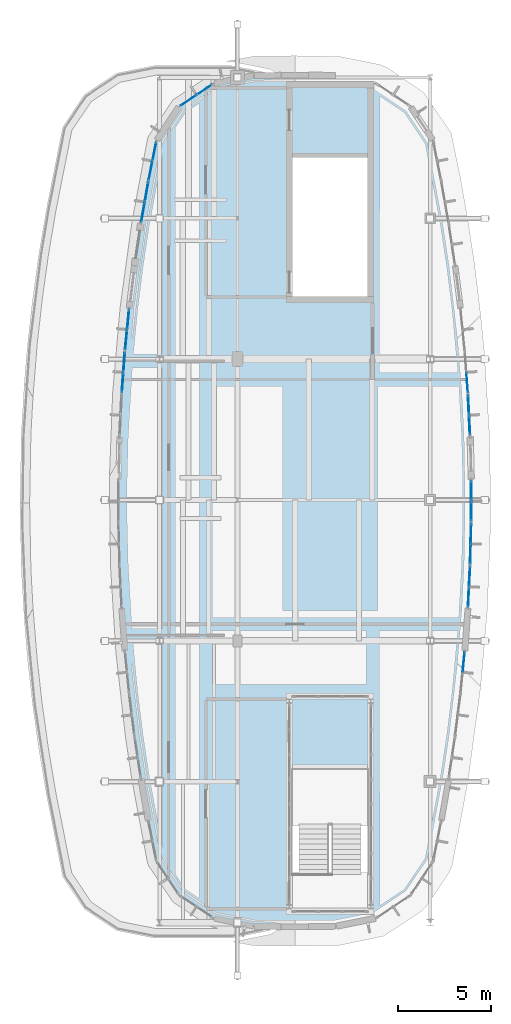
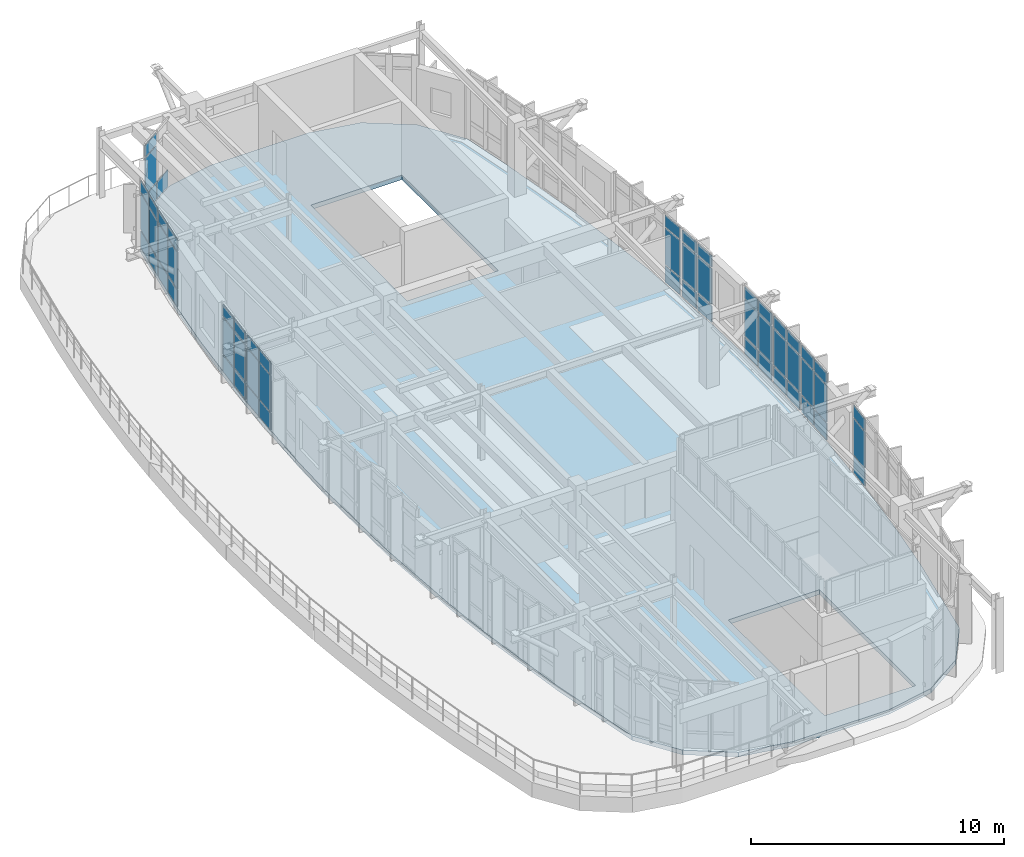
# One storey, part 14 of 20: 58 plates, 1 slab, 11 elements without a shape of their own.
"""IFC4 building model written with IfcOpenShell, lengths in metres."""

from ifc_helpers import new_model, si_unit, direction, frame, origin, origin_2d, place, context, subcontext, project, spatial, polyline, rectangle, outline, extrude, material, layer, layer_set, type_object, element, aggregate, save


model = new_model("IFC4")

# Units and contexts
model_context = context("Model", 3, precision=1e-05, world=origin(), true_north=direction((0.0, 1.0)))
body_context = subcontext(model_context, "Body", "Model", "MODEL_VIEW")
ifc_project = project(units=[si_unit("LENGTHUNIT", "METRE"), si_unit("AREAUNIT", "SQUARE_METRE"), si_unit("VOLUMEUNIT", "CUBIC_METRE"), si_unit("PLANEANGLEUNIT", "RADIAN"), si_unit("MASSUNIT", "GRAM", prefix="KILO")], contexts=[model_context])

# Site, building, storey
site_placement = place(None, origin())
site = spatial("IfcSite", under=ifc_project, at=site_placement, CompositionType="ELEMENT")
building_placement = place(site_placement, origin())
building = spatial("IfcBuilding", under=site, at=building_placement, Name="Corveleigh Park Community Centre", CompositionType="ELEMENT")
storey_placement = place(building_placement, frame((0.0, 0.0, 19.800048828125)))
storey = spatial("IfcBuildingStorey", under=building, at=storey_placement, Name="L05", CompositionType="ELEMENT", Elevation=19.800048828125)

# Curtain wall, plates
ifc_material_1 = material(Name="Anodised aluminium 6063-T6", Category="aluminium")
curtain_wall_type = type_object("IfcCurtainWallType", Name="CW-SYS-V4-L03", PredefinedType="NOTDEFINED", material=ifc_material_1)
curtain_wall_1_placement = place(storey_placement, origin())
curtain_wall_1 = element("IfcCurtainWall", 1, at=curtain_wall_1_placement, inside=storey, type_object=curtain_wall_type, Name="V4 L05 Curtain Wall 481", PredefinedType="NOTDEFINED")
ifc_material_2 = material(Name="Low-E double glazing", Category="glass")
ifc_layer_1 = layer(ifc_material_2, 0.02392578125, Name="Low-E double glazing", Category="glass")
ifc_layer_set_1 = layer_set([ifc_layer_1], Name="Low-E double glazing")
plate_type_1 = type_object("IfcPlateType", Name="CWP-GLZ-24", PredefinedType="CURTAIN_PANEL", material=ifc_layer_set_1)
plate_1_placement = place(storey_placement, frame((170.396240234375, 87.72998046875, 0.059814453125), z_axis=(0.0, 0.0, 1.0), x_axis=(0.074400551014, -0.997228438227, 0.0)))
plate_1 = element("IfcPlate", 2, at=plate_1_placement, type_object=plate_type_1, Name="CW09 panel 2.1", PredefinedType="CURTAIN_PANEL", context=body_context, shape_type="SweptSolid", body=[
    extrude(rectangle(XDim=1.05908203125, YDim=0.02392578125, at=origin_2d()), origin(), (0.0, 0.0, 1.0), 0.81005859375),
])
plate_2_placement = place(storey_placement, frame((170.396240234375, 87.72998046875, 0.929931640625), z_axis=(0.0, 0.0, 1.0), x_axis=(0.074400551014, -0.997228438227, 0.0)))
plate_2 = element("IfcPlate", 3, at=plate_2_placement, type_object=plate_type_1, Name="CW09 panel 2.2", PredefinedType="CURTAIN_PANEL", context=body_context, shape_type="SweptSolid", body=[
    extrude(rectangle(XDim=1.05908203125, YDim=0.02392578125, at=origin_2d()), origin(), (0.0, 0.0, 1.0), 1.75390625),
])
plate_3_placement = place(storey_placement, frame((170.396240234375, 87.72998046875, 2.743896484375), z_axis=(0.0, 0.0, 1.0), x_axis=(0.074400551014, -0.997228438227, 0.0)))
plate_3 = element("IfcPlate", 4, at=plate_3_placement, type_object=plate_type_1, Name="CW09 panel 2.3", PredefinedType="CURTAIN_PANEL", context=body_context, shape_type="SweptSolid", body=[
    extrude(rectangle(XDim=1.05908203125, YDim=0.02392578125, at=origin_2d()), origin(), (0.0, 0.0, 1.0), 0.56005859375),
])
aggregate(curtain_wall_1, [plate_1, plate_2, plate_3])

curtain_wall_2_placement = place(storey_placement, origin())
curtain_wall_2 = element("IfcCurtainWall", 5, at=curtain_wall_2_placement, inside=storey, type_object=curtain_wall_type, Name="V4 L05 Curtain Wall 476", PredefinedType="NOTDEFINED")
ifc_layer_2 = layer(ifc_material_2, 0.035888671875, Name="Low-E double glazing", Category="glass")
ifc_layer_set_2 = layer_set([ifc_layer_2], Name="Low-E double glazing")
plate_type_2 = type_object("IfcPlateType", Name="CWP-GLZ-36", PredefinedType="CURTAIN_PANEL", material=ifc_layer_set_2)
plate_4_placement = place(storey_placement, frame((170.2080078125, 72.66064453125, 0.059814453125), z_axis=(0.0, 0.0, 1.0), x_axis=(-0.099719288676, -0.995015609659, 0.0)))
plate_4 = element("IfcPlate", 6, at=plate_4_placement, type_object=plate_type_2, Name="CW09 panel 1.1", PredefinedType="CURTAIN_PANEL", context=body_context, shape_type="SweptSolid", body=[
    extrude(rectangle(XDim=1.05078125, YDim=0.035888671875, at=origin_2d()), origin(), (0.0, 0.0, 1.0), 0.81005859375),
])
plate_5_placement = place(storey_placement, frame((170.2080078125, 72.66064453125, 0.929931640625), z_axis=(0.0, 0.0, 1.0), x_axis=(-0.099719288676, -0.995015609659, 0.0)))
plate_5 = element("IfcPlate", 7, at=plate_5_placement, type_object=plate_type_2, Name="CW09 panel 1.2", PredefinedType="CURTAIN_PANEL", context=body_context, shape_type="SweptSolid", body=[
    extrude(rectangle(XDim=1.05078125, YDim=0.035888671875, at=origin_2d()), origin(), (0.0, 0.0, 1.0), 1.75390625),
])
plate_6_placement = place(storey_placement, frame((170.2080078125, 72.66064453125, 2.743896484375), z_axis=(0.0, 0.0, 1.0), x_axis=(-0.099719288676, -0.995015609659, 0.0)))
plate_6 = element("IfcPlate", 8, at=plate_6_placement, type_object=plate_type_2, Name="CW09 panel 1.3", PredefinedType="CURTAIN_PANEL", context=body_context, shape_type="SweptSolid", body=[
    extrude(rectangle(XDim=1.05078125, YDim=0.035888671875, at=origin_2d()), origin(), (0.0, 0.0, 1.0), 0.56005859375),
])
aggregate(curtain_wall_2, [plate_4, plate_5, plate_6])

curtain_wall_3_placement = place(storey_placement, origin())
curtain_wall_3 = element("IfcCurtainWall", 9, at=curtain_wall_3_placement, inside=storey, type_object=curtain_wall_type, Name="V4 L05 Curtain Wall 487", PredefinedType="NOTDEFINED")
plate_7_placement = place(storey_placement, frame((155.358154296875, 102.963134765625, 0.06494140625), z_axis=(0.0, 0.0, 1.0), x_axis=(0.831544296886, 0.555458443376, 0.0)))
plate_7 = element("IfcPlate", 10, at=plate_7_placement, type_object=plate_type_2, Name="CW09 panel 1.1", PredefinedType="CURTAIN_PANEL", context=body_context, shape_type="SweptSolid", body=[
    extrude(rectangle(XDim=0.974853515625, YDim=0.035888671875, at=origin_2d()), origin(), (0.0, 0.0, 1.0), 0.802490234375),
])
plate_8_placement = place(storey_placement, frame((155.358154296875, 102.963134765625, 0.932373046875), z_axis=(0.0, 0.0, 1.0), x_axis=(0.831544296886, 0.555458443376, 0.0)))
plate_8 = element("IfcPlate", 11, at=plate_8_placement, type_object=plate_type_2, Name="CW09 panel 1.2", PredefinedType="CURTAIN_PANEL", context=body_context, shape_type="SweptSolid", body=[
    extrude(rectangle(XDim=0.974853515625, YDim=0.035888671875, at=origin_2d()), origin(), (0.0, 0.0, 1.0), 1.7490234375),
])
plate_9_placement = place(storey_placement, frame((155.358154296875, 102.963134765625, 2.74658203125), z_axis=(0.0, 0.0, 1.0), x_axis=(0.831544296886, 0.555458443376, 0.0)))
plate_9 = element("IfcPlate", 12, at=plate_9_placement, type_object=plate_type_2, Name="CW09 panel 1.3", PredefinedType="CURTAIN_PANEL", context=body_context, shape_type="SweptSolid", body=[
    extrude(rectangle(XDim=0.974853515625, YDim=0.035888671875, at=origin_2d()), origin(), (0.0, 0.0, 1.0), 0.552490234375),
])
plate_10_placement = place(storey_placement, frame((156.21875, 103.537841796875, 0.06494140625), z_axis=(0.0, 0.0, 1.0), x_axis=(0.831544296886, 0.555458443376, 0.0)))
plate_10 = element("IfcPlate", 13, at=plate_10_placement, type_object=plate_type_2, Name="CW09 panel 2.1", PredefinedType="CURTAIN_PANEL", context=body_context, shape_type="SweptSolid", body=[
    extrude(rectangle(XDim=0.974853515625, YDim=0.035888671875, at=origin_2d()), origin(), (0.0, 0.0, 1.0), 0.802490234375),
])
aggregate(curtain_wall_3, [plate_7, plate_8, plate_9, plate_10])

curtain_wall_4_placement = place(storey_placement, origin())
curtain_wall_4 = element("IfcCurtainWall", 14, at=curtain_wall_4_placement, inside=storey, type_object=curtain_wall_type, Name="V4 L05 Curtain Wall 488", PredefinedType="NOTDEFINED")
plate_11_placement = place(storey_placement, frame((153.310546875, 99.167236328125, 0.070068359375), z_axis=(0.0, 0.0, 1.0), x_axis=(0.194784489103, 0.980846064785, 0.0)))
plate_11 = element("IfcPlate", 15, at=plate_11_placement, type_object=plate_type_2, Name="CW09 panel 1.1", PredefinedType="CURTAIN_PANEL", context=body_context, shape_type="SweptSolid", body=[
    extrude(rectangle(XDim=0.98583984375, YDim=0.035888671875, at=origin_2d()), origin(), (0.0, 0.0, 1.0), 0.794921875),
])
plate_12_placement = place(storey_placement, frame((153.310546875, 99.167236328125, 0.93505859375), z_axis=(0.0, 0.0, 1.0), x_axis=(0.194784489103, 0.980846064785, 0.0)))
plate_12 = element("IfcPlate", 16, at=plate_12_placement, type_object=plate_type_2, Name="CW09 panel 1.2", PredefinedType="CURTAIN_PANEL", context=body_context, shape_type="SweptSolid", body=[
    extrude(rectangle(XDim=0.98583984375, YDim=0.035888671875, at=origin_2d()), origin(), (0.0, 0.0, 1.0), 1.743896484375),
])
plate_13_placement = place(storey_placement, frame((153.310546875, 99.167236328125, 2.7490234375), z_axis=(0.0, 0.0, 1.0), x_axis=(0.194784489103, 0.980846064785, 0.0)))
plate_13 = element("IfcPlate", 17, at=plate_13_placement, type_object=plate_type_2, Name="CW09 panel 1.3", PredefinedType="CURTAIN_PANEL", context=body_context, shape_type="SweptSolid", body=[
    extrude(rectangle(XDim=0.98583984375, YDim=0.035888671875, at=origin_2d()), origin(), (0.0, 0.0, 1.0), 0.544921875),
])
plate_14_placement = place(storey_placement, frame((153.515380859375, 100.19775390625, 0.070068359375), z_axis=(0.0, 0.0, 1.0), x_axis=(0.194784489103, 0.980846064785, 0.0)))
plate_14 = element("IfcPlate", 18, at=plate_14_placement, type_object=plate_type_2, Name="CW09 panel 2.1", PredefinedType="CURTAIN_PANEL", context=body_context, shape_type="SweptSolid", body=[
    extrude(rectangle(XDim=0.98583984375, YDim=0.035888671875, at=origin_2d()), origin(), (0.0, 0.0, 1.0), 0.794921875),
])
plate_15_placement = place(storey_placement, frame((153.515380859375, 100.19775390625, 0.93505859375), z_axis=(0.0, 0.0, 1.0), x_axis=(0.194784489103, 0.980846064785, 0.0)))
plate_15 = element("IfcPlate", 19, at=plate_15_placement, type_object=plate_type_2, Name="CW09 panel 2.2", PredefinedType="CURTAIN_PANEL", context=body_context, shape_type="SweptSolid", body=[
    extrude(rectangle(XDim=0.98583984375, YDim=0.035888671875, at=origin_2d()), origin(), (0.0, 0.0, 1.0), 1.743896484375),
])
plate_16_placement = place(storey_placement, frame((153.515380859375, 100.19775390625, 2.7490234375), z_axis=(0.0, 0.0, 1.0), x_axis=(0.194784489103, 0.980846064785, 0.0)))
plate_16 = element("IfcPlate", 20, at=plate_16_placement, type_object=plate_type_2, Name="CW09 panel 2.3", PredefinedType="CURTAIN_PANEL", context=body_context, shape_type="SweptSolid", body=[
    extrude(rectangle(XDim=0.98583984375, YDim=0.035888671875, at=origin_2d()), origin(), (0.0, 0.0, 1.0), 0.544921875),
])
aggregate(curtain_wall_4, [plate_11, plate_12, plate_13, plate_14, plate_15, plate_16])

curtain_wall_5_placement = place(storey_placement, origin())
curtain_wall_5 = element("IfcCurtainWall", 21, at=curtain_wall_5_placement, inside=storey, type_object=curtain_wall_type, Name="V4 L05 Curtain Wall 477", PredefinedType="NOTDEFINED")
ifc_layer_3 = layer(ifc_material_2, 0.0400390625, Name="Low-E double glazing", Category="glass")
ifc_layer_set_3 = layer_set([ifc_layer_3], Name="Low-E double glazing")
plate_type_3 = type_object("IfcPlateType", Name="CWP-GLZ-40", PredefinedType="CURTAIN_PANEL", material=ifc_layer_set_3)
plate_17_placement = place(storey_placement, frame((170.527099609375, 77.27783203125, 0.06494140625), z_axis=(0.0, 0.0, 1.0), x_axis=(-0.050480220936, -0.998725060912, 0.0)))
plate_17 = element("IfcPlate", 22, at=plate_17_placement, type_object=plate_type_3, Name="CW09 panel 1.1", PredefinedType="CURTAIN_PANEL", context=body_context, shape_type="SweptSolid", body=[
    extrude(rectangle(XDim=1.0439453125, YDim=0.0400390625, at=origin_2d()), origin(), (0.0, 0.0, 1.0), 0.802490234375),
])
plate_18_placement = place(storey_placement, frame((170.527099609375, 77.27783203125, 0.932373046875), z_axis=(0.0, 0.0, 1.0), x_axis=(-0.050480220936, -0.998725060912, 0.0)))
plate_18 = element("IfcPlate", 23, at=plate_18_placement, type_object=plate_type_3, Name="CW09 panel 1.2", PredefinedType="CURTAIN_PANEL", context=body_context, shape_type="SweptSolid", body=[
    extrude(rectangle(XDim=1.0439453125, YDim=0.0400390625, at=origin_2d()), origin(), (0.0, 0.0, 1.0), 1.7490234375),
])
plate_19_placement = place(storey_placement, frame((170.527099609375, 77.27783203125, 2.74658203125), z_axis=(0.0, 0.0, 1.0), x_axis=(-0.050480220936, -0.998725060912, 0.0)))
plate_19 = element("IfcPlate", 24, at=plate_19_placement, type_object=plate_type_3, Name="CW09 panel 1.3", PredefinedType="CURTAIN_PANEL", context=body_context, shape_type="SweptSolid", body=[
    extrude(rectangle(XDim=1.0439453125, YDim=0.0400390625, at=origin_2d()), origin(), (0.0, 0.0, 1.0), 0.552490234375),
])
plate_20_placement = place(storey_placement, frame((170.470947265625, 76.165283203125, 0.06494140625), z_axis=(0.0, 0.0, 1.0), x_axis=(-0.050480220936, -0.998725060912, 0.0)))
plate_20 = element("IfcPlate", 25, at=plate_20_placement, type_object=plate_type_3, Name="CW09 panel 2.1", PredefinedType="CURTAIN_PANEL", context=body_context, shape_type="SweptSolid", body=[
    extrude(rectangle(XDim=1.0439453125, YDim=0.0400390625, at=origin_2d()), origin(), (0.0, 0.0, 1.0), 0.802490234375),
])
plate_21_placement = place(storey_placement, frame((170.470947265625, 76.165283203125, 0.932373046875), z_axis=(0.0, 0.0, 1.0), x_axis=(-0.050480220936, -0.998725060912, 0.0)))
plate_21 = element("IfcPlate", 26, at=plate_21_placement, type_object=plate_type_3, Name="CW09 panel 2.2", PredefinedType="CURTAIN_PANEL", context=body_context, shape_type="SweptSolid", body=[
    extrude(rectangle(XDim=1.0439453125, YDim=0.0400390625, at=origin_2d()), origin(), (0.0, 0.0, 1.0), 1.7490234375),
])
plate_22_placement = place(storey_placement, frame((170.470947265625, 76.165283203125, 2.74658203125), z_axis=(0.0, 0.0, 1.0), x_axis=(-0.050480220936, -0.998725060912, 0.0)))
plate_22 = element("IfcPlate", 27, at=plate_22_placement, type_object=plate_type_3, Name="CW09 panel 2.3", PredefinedType="CURTAIN_PANEL", context=body_context, shape_type="SweptSolid", body=[
    extrude(rectangle(XDim=1.0439453125, YDim=0.0400390625, at=origin_2d()), origin(), (0.0, 0.0, 1.0), 0.552490234375),
])
aggregate(curtain_wall_5, [plate_17, plate_18, plate_19, plate_20, plate_21, plate_22])

curtain_wall_6_placement = place(storey_placement, origin())
curtain_wall_6 = element("IfcCurtainWall", 28, at=curtain_wall_6_placement, inside=storey, type_object=curtain_wall_type, Name="V4 L05 Curtain Wall 478", PredefinedType="NOTDEFINED")
plate_23_placement = place(storey_placement, frame((170.60009765625, 79.59033203125, 0.070068359375), z_axis=(0.0, 0.0, 1.0), x_axis=(-0.025253267842, -0.999681085378, 0.0)))
plate_23 = element("IfcPlate", 29, at=plate_23_placement, type_object=plate_type_3, Name="CW09 panel 1.1", PredefinedType="CURTAIN_PANEL", context=body_context, shape_type="SweptSolid", body=[
    extrude(rectangle(XDim=1.035888671875, YDim=0.0400390625, at=origin_2d()), origin(), (0.0, 0.0, 1.0), 0.794921875),
])
plate_24_placement = place(storey_placement, frame((170.60009765625, 79.59033203125, 0.93505859375), z_axis=(0.0, 0.0, 1.0), x_axis=(-0.025253267842, -0.999681085378, 0.0)))
plate_24 = element("IfcPlate", 30, at=plate_24_placement, type_object=plate_type_3, Name="CW09 panel 1.2", PredefinedType="CURTAIN_PANEL", context=body_context, shape_type="SweptSolid", body=[
    extrude(rectangle(XDim=1.035888671875, YDim=0.0400390625, at=origin_2d()), origin(), (0.0, 0.0, 1.0), 1.743896484375),
])
plate_25_placement = place(storey_placement, frame((170.60009765625, 79.59033203125, 2.7490234375), z_axis=(0.0, 0.0, 1.0), x_axis=(-0.025253267842, -0.999681085378, 0.0)))
plate_25 = element("IfcPlate", 31, at=plate_25_placement, type_object=plate_type_3, Name="CW09 panel 1.3", PredefinedType="CURTAIN_PANEL", context=body_context, shape_type="SweptSolid", body=[
    extrude(rectangle(XDim=1.035888671875, YDim=0.0400390625, at=origin_2d()), origin(), (0.0, 0.0, 1.0), 0.544921875),
])
plate_26_placement = place(storey_placement, frame((170.572021484375, 78.479736328125, 0.070068359375), z_axis=(0.0, 0.0, 1.0), x_axis=(-0.025253267842, -0.999681085378, 0.0)))
plate_26 = element("IfcPlate", 32, at=plate_26_placement, type_object=plate_type_3, Name="CW09 panel 2.1", PredefinedType="CURTAIN_PANEL", context=body_context, shape_type="SweptSolid", body=[
    extrude(rectangle(XDim=1.035888671875, YDim=0.0400390625, at=origin_2d()), origin(), (0.0, 0.0, 1.0), 0.794921875),
])
plate_27_placement = place(storey_placement, frame((170.572021484375, 78.479736328125, 0.93505859375), z_axis=(0.0, 0.0, 1.0), x_axis=(-0.025253267842, -0.999681085378, 0.0)))
plate_27 = element("IfcPlate", 33, at=plate_27_placement, type_object=plate_type_3, Name="CW09 panel 2.2", PredefinedType="CURTAIN_PANEL", context=body_context, shape_type="SweptSolid", body=[
    extrude(rectangle(XDim=1.035888671875, YDim=0.0400390625, at=origin_2d()), origin(), (0.0, 0.0, 1.0), 1.743896484375),
])
plate_28_placement = place(storey_placement, frame((170.572021484375, 78.479736328125, 2.7490234375), z_axis=(0.0, 0.0, 1.0), x_axis=(-0.025253267842, -0.999681085378, 0.0)))
plate_28 = element("IfcPlate", 34, at=plate_28_placement, type_object=plate_type_3, Name="CW09 panel 2.3", PredefinedType="CURTAIN_PANEL", context=body_context, shape_type="SweptSolid", body=[
    extrude(rectangle(XDim=1.035888671875, YDim=0.0400390625, at=origin_2d()), origin(), (0.0, 0.0, 1.0), 0.544921875),
])
aggregate(curtain_wall_6, [plate_23, plate_24, plate_25, plate_26, plate_27, plate_28])

curtain_wall_7_placement = place(storey_placement, origin())
curtain_wall_7 = element("IfcCurtainWall", 35, at=curtain_wall_7_placement, inside=storey, type_object=curtain_wall_type, Name="V4 L05 Curtain Wall 489", PredefinedType="NOTDEFINED")
plate_29_placement = place(storey_placement, frame((152.902099609375, 96.924072265625, 0.074951171875), z_axis=(0.0, 0.0, 1.0), x_axis=(0.174058388626, 0.984735333655, 0.0)))
plate_29 = element("IfcPlate", 36, at=plate_29_placement, type_object=plate_type_3, Name="CW09 panel 1.1", PredefinedType="CURTAIN_PANEL", context=body_context, shape_type="SweptSolid", body=[
    extrude(rectangle(XDim=1.0439453125, YDim=0.0400390625, at=origin_2d()), origin(), (0.0, 0.0, 1.0), 0.78759765625),
])
plate_30_placement = place(storey_placement, frame((152.902099609375, 96.924072265625, 0.9375), z_axis=(0.0, 0.0, 1.0), x_axis=(0.174058388626, 0.984735333655, 0.0)))
plate_30 = element("IfcPlate", 37, at=plate_30_placement, type_object=plate_type_3, Name="CW09 panel 1.2", PredefinedType="CURTAIN_PANEL", context=body_context, shape_type="SweptSolid", body=[
    extrude(rectangle(XDim=1.0439453125, YDim=0.0400390625, at=origin_2d()), origin(), (0.0, 0.0, 1.0), 1.739013671875),
])
plate_31_placement = place(storey_placement, frame((152.902099609375, 96.924072265625, 2.75146484375), z_axis=(0.0, 0.0, 1.0), x_axis=(0.174058388626, 0.984735333655, 0.0)))
plate_31 = element("IfcPlate", 38, at=plate_31_placement, type_object=plate_type_3, Name="CW09 panel 1.3", PredefinedType="CURTAIN_PANEL", context=body_context, shape_type="SweptSolid", body=[
    extrude(rectangle(XDim=1.0439453125, YDim=0.0400390625, at=origin_2d()), origin(), (0.0, 0.0, 1.0), 0.53759765625),
])
plate_32_placement = place(storey_placement, frame((153.095947265625, 98.02099609375, 0.074951171875), z_axis=(0.0, 0.0, 1.0), x_axis=(0.174058388626, 0.984735333655, 0.0)))
plate_32 = element("IfcPlate", 39, at=plate_32_placement, type_object=plate_type_3, Name="CW09 panel 2.1", PredefinedType="CURTAIN_PANEL", context=body_context, shape_type="SweptSolid", body=[
    extrude(rectangle(XDim=1.0439453125, YDim=0.0400390625, at=origin_2d()), origin(), (0.0, 0.0, 1.0), 0.78759765625),
])
plate_33_placement = place(storey_placement, frame((153.095947265625, 98.02099609375, 0.9375), z_axis=(0.0, 0.0, 1.0), x_axis=(0.174058388626, 0.984735333655, 0.0)))
plate_33 = element("IfcPlate", 40, at=plate_33_placement, type_object=plate_type_3, Name="CW09 panel 2.2", PredefinedType="CURTAIN_PANEL", context=body_context, shape_type="SweptSolid", body=[
    extrude(rectangle(XDim=1.0439453125, YDim=0.0400390625, at=origin_2d()), origin(), (0.0, 0.0, 1.0), 1.739013671875),
])
plate_34_placement = place(storey_placement, frame((153.095947265625, 98.02099609375, 2.75146484375), z_axis=(0.0, 0.0, 1.0), x_axis=(0.174058388626, 0.984735333655, 0.0)))
plate_34 = element("IfcPlate", 41, at=plate_34_placement, type_object=plate_type_3, Name="CW09 panel 2.3", PredefinedType="CURTAIN_PANEL", context=body_context, shape_type="SweptSolid", body=[
    extrude(rectangle(XDim=1.0439453125, YDim=0.0400390625, at=origin_2d()), origin(), (0.0, 0.0, 1.0), 0.53759765625),
])
aggregate(curtain_wall_7, [plate_29, plate_30, plate_31, plate_32, plate_33, plate_34])

curtain_wall_8_placement = place(storey_placement, origin())
curtain_wall_8 = element("IfcCurtainWall", 42, at=curtain_wall_8_placement, inside=storey, type_object=curtain_wall_type, Name="V4 L05 Curtain Wall 490", PredefinedType="NOTDEFINED")
plate_35_placement = place(storey_placement, frame((151.9921875, 90.0419921875, 0.080078125), z_axis=(0.0, 0.0, 1.0), x_axis=(0.099719288676, 0.995015609659, 0.0)))
plate_35 = element("IfcPlate", 43, at=plate_35_placement, type_object=plate_type_3, Name="CW09 panel 1.1", PredefinedType="CURTAIN_PANEL", context=body_context, shape_type="SweptSolid", body=[
    extrude(rectangle(XDim=1.03564453125, YDim=0.0400390625, at=origin_2d()), origin(), (0.0, 0.0, 1.0), 0.780029296875),
])
plate_36_placement = place(storey_placement, frame((151.9921875, 90.0419921875, 0.93994140625), z_axis=(0.0, 0.0, 1.0), x_axis=(0.099719288676, 0.995015609659, 0.0)))
plate_36 = element("IfcPlate", 44, at=plate_36_placement, type_object=plate_type_3, Name="CW09 panel 1.2", PredefinedType="CURTAIN_PANEL", context=body_context, shape_type="SweptSolid", body=[
    extrude(rectangle(XDim=1.03564453125, YDim=0.0400390625, at=origin_2d()), origin(), (0.0, 0.0, 1.0), 1.73388671875),
])
plate_37_placement = place(storey_placement, frame((151.9921875, 90.0419921875, 2.75390625), z_axis=(0.0, 0.0, 1.0), x_axis=(0.099719288676, 0.995015609659, 0.0)))
plate_37 = element("IfcPlate", 45, at=plate_37_placement, type_object=plate_type_3, Name="CW09 panel 1.3", PredefinedType="CURTAIN_PANEL", context=body_context, shape_type="SweptSolid", body=[
    extrude(rectangle(XDim=1.03564453125, YDim=0.0400390625, at=origin_2d()), origin(), (0.0, 0.0, 1.0), 0.530029296875),
])
plate_38_placement = place(storey_placement, frame((152.102783203125, 91.14697265625, 0.080078125), z_axis=(0.0, 0.0, 1.0), x_axis=(0.099719288676, 0.995015609659, 0.0)))
plate_38 = element("IfcPlate", 46, at=plate_38_placement, type_object=plate_type_3, Name="CW09 panel 2.1", PredefinedType="CURTAIN_PANEL", context=body_context, shape_type="SweptSolid", body=[
    extrude(rectangle(XDim=1.03564453125, YDim=0.0400390625, at=origin_2d()), origin(), (0.0, 0.0, 1.0), 0.780029296875),
])
plate_39_placement = place(storey_placement, frame((152.102783203125, 91.14697265625, 0.93994140625), z_axis=(0.0, 0.0, 1.0), x_axis=(0.099719288676, 0.995015609659, 0.0)))
plate_39 = element("IfcPlate", 47, at=plate_39_placement, type_object=plate_type_3, Name="CW09 panel 2.2", PredefinedType="CURTAIN_PANEL", context=body_context, shape_type="SweptSolid", body=[
    extrude(rectangle(XDim=1.03564453125, YDim=0.0400390625, at=origin_2d()), origin(), (0.0, 0.0, 1.0), 1.73388671875),
])
plate_40_placement = place(storey_placement, frame((152.102783203125, 91.14697265625, 2.75390625), z_axis=(0.0, 0.0, 1.0), x_axis=(0.099719288676, 0.995015609659, 0.0)))
plate_40 = element("IfcPlate", 48, at=plate_40_placement, type_object=plate_type_3, Name="CW09 panel 2.3", PredefinedType="CURTAIN_PANEL", context=body_context, shape_type="SweptSolid", body=[
    extrude(rectangle(XDim=1.03564453125, YDim=0.0400390625, at=origin_2d()), origin(), (0.0, 0.0, 1.0), 0.530029296875),
])
aggregate(curtain_wall_8, [plate_35, plate_36, plate_37, plate_38, plate_39, plate_40])

curtain_wall_9_placement = place(storey_placement, origin())
curtain_wall_9 = element("IfcCurtainWall", 49, at=curtain_wall_9_placement, inside=storey, type_object=curtain_wall_type, Name="V4 L05 Curtain Wall 479", PredefinedType="NOTDEFINED")
ifc_layer_4 = layer(ifc_material_2, 0.0439453125, Name="Low-E double glazing", Category="glass")
ifc_layer_set_4 = layer_set([ifc_layer_4], Name="Low-E double glazing")
plate_type_4 = type_object("IfcPlateType", Name="CWP-GLZ-44", PredefinedType="CURTAIN_PANEL", material=ifc_layer_set_4)
plate_41_placement = place(storey_placement, frame((170.614990234375, 81.904541015625, 0.074951171875), z_axis=(0.0, 0.0, 1.0), x_axis=(0.0, -1.0, 0.0)))
plate_41 = element("IfcPlate", 50, at=plate_41_placement, type_object=plate_type_4, Name="CW09 panel 1.1", PredefinedType="CURTAIN_PANEL", context=body_context, shape_type="SweptSolid", body=[
    extrude(rectangle(XDim=1.029052734375, YDim=0.0439453125, at=origin_2d()), origin(), (0.0, 0.0, 1.0), 0.78759765625),
])
plate_42_placement = place(storey_placement, frame((170.614990234375, 81.904541015625, 0.9375), z_axis=(0.0, 0.0, 1.0), x_axis=(0.0, -1.0, 0.0)))
plate_42 = element("IfcPlate", 51, at=plate_42_placement, type_object=plate_type_4, Name="CW09 panel 1.2", PredefinedType="CURTAIN_PANEL", context=body_context, shape_type="SweptSolid", body=[
    extrude(rectangle(XDim=1.029052734375, YDim=0.0439453125, at=origin_2d()), origin(), (0.0, 0.0, 1.0), 1.739013671875),
])
plate_43_placement = place(storey_placement, frame((170.614990234375, 81.904541015625, 2.75146484375), z_axis=(0.0, 0.0, 1.0), x_axis=(0.0, -1.0, 0.0)))
plate_43 = element("IfcPlate", 52, at=plate_43_placement, type_object=plate_type_4, Name="CW09 panel 1.3", PredefinedType="CURTAIN_PANEL", context=body_context, shape_type="SweptSolid", body=[
    extrude(rectangle(XDim=1.029052734375, YDim=0.0439453125, at=origin_2d()), origin(), (0.0, 0.0, 1.0), 0.53759765625),
])
plate_44_placement = place(storey_placement, frame((170.614990234375, 80.79541015625, 0.074951171875), z_axis=(0.0, 0.0, 1.0), x_axis=(0.0, -1.0, 0.0)))
plate_44 = element("IfcPlate", 53, at=plate_44_placement, type_object=plate_type_4, Name="CW09 panel 2.1", PredefinedType="CURTAIN_PANEL", context=body_context, shape_type="SweptSolid", body=[
    extrude(rectangle(XDim=1.029052734375, YDim=0.0439453125, at=origin_2d()), origin(), (0.0, 0.0, 1.0), 0.78759765625),
])
plate_45_placement = place(storey_placement, frame((170.614990234375, 80.79541015625, 0.9375), z_axis=(0.0, 0.0, 1.0), x_axis=(0.0, -1.0, 0.0)))
plate_45 = element("IfcPlate", 54, at=plate_45_placement, type_object=plate_type_4, Name="CW09 panel 2.2", PredefinedType="CURTAIN_PANEL", context=body_context, shape_type="SweptSolid", body=[
    extrude(rectangle(XDim=1.029052734375, YDim=0.0439453125, at=origin_2d()), origin(), (0.0, 0.0, 1.0), 1.739013671875),
])
plate_46_placement = place(storey_placement, frame((170.614990234375, 80.79541015625, 2.75146484375), z_axis=(0.0, 0.0, 1.0), x_axis=(0.0, -1.0, 0.0)))
plate_46 = element("IfcPlate", 55, at=plate_46_placement, type_object=plate_type_4, Name="CW09 panel 2.3", PredefinedType="CURTAIN_PANEL", context=body_context, shape_type="SweptSolid", body=[
    extrude(rectangle(XDim=1.029052734375, YDim=0.0439453125, at=origin_2d()), origin(), (0.0, 0.0, 1.0), 0.53759765625),
])
aggregate(curtain_wall_9, [plate_41, plate_42, plate_43, plate_44, plate_45, plate_46])

curtain_wall_10_placement = place(storey_placement, origin())
curtain_wall_10 = element("IfcCurtainWall", 56, at=curtain_wall_10_placement, inside=storey, type_object=curtain_wall_type, Name="V4 L05 Curtain Wall 480", PredefinedType="NOTDEFINED")
plate_47_placement = place(storey_placement, frame((170.47119140625, 86.531005859375, 0.080078125), z_axis=(0.0, 0.0, 1.0), x_axis=(0.050480220936, -0.998725060912, 0.0)))
plate_47 = element("IfcPlate", 57, at=plate_47_placement, type_object=plate_type_4, Name="CW09 panel 1.1", PredefinedType="CURTAIN_PANEL", context=body_context, shape_type="SweptSolid", body=[
    extrude(rectangle(XDim=1.021484375, YDim=0.0439453125, at=origin_2d()), origin(), (0.0, 0.0, 1.0), 0.780029296875),
])
plate_48_placement = place(storey_placement, frame((170.47119140625, 86.531005859375, 0.93994140625), z_axis=(0.0, 0.0, 1.0), x_axis=(0.050480220936, -0.998725060912, 0.0)))
plate_48 = element("IfcPlate", 58, at=plate_48_placement, type_object=plate_type_4, Name="CW09 panel 1.2", PredefinedType="CURTAIN_PANEL", context=body_context, shape_type="SweptSolid", body=[
    extrude(rectangle(XDim=1.021484375, YDim=0.0439453125, at=origin_2d()), origin(), (0.0, 0.0, 1.0), 1.73388671875),
])
plate_49_placement = place(storey_placement, frame((170.47119140625, 86.531005859375, 2.75390625), z_axis=(0.0, 0.0, 1.0), x_axis=(0.050480220936, -0.998725060912, 0.0)))
plate_49 = element("IfcPlate", 59, at=plate_49_placement, type_object=plate_type_4, Name="CW09 panel 1.3", PredefinedType="CURTAIN_PANEL", context=body_context, shape_type="SweptSolid", body=[
    extrude(rectangle(XDim=1.021484375, YDim=0.0439453125, at=origin_2d()), origin(), (0.0, 0.0, 1.0), 0.530029296875),
])
plate_50_placement = place(storey_placement, frame((170.52685546875, 85.426025390625, 0.080078125), z_axis=(0.0, 0.0, 1.0), x_axis=(0.050480220936, -0.998725060912, 0.0)))
plate_50 = element("IfcPlate", 60, at=plate_50_placement, type_object=plate_type_4, Name="CW09 panel 2.1", PredefinedType="CURTAIN_PANEL", context=body_context, shape_type="SweptSolid", body=[
    extrude(rectangle(XDim=1.021484375, YDim=0.0439453125, at=origin_2d()), origin(), (0.0, 0.0, 1.0), 0.780029296875),
])
plate_51_placement = place(storey_placement, frame((170.52685546875, 85.426025390625, 0.93994140625), z_axis=(0.0, 0.0, 1.0), x_axis=(0.050480220936, -0.998725060912, 0.0)))
plate_51 = element("IfcPlate", 61, at=plate_51_placement, type_object=plate_type_4, Name="CW09 panel 2.2", PredefinedType="CURTAIN_PANEL", context=body_context, shape_type="SweptSolid", body=[
    extrude(rectangle(XDim=1.021484375, YDim=0.0439453125, at=origin_2d()), origin(), (0.0, 0.0, 1.0), 1.73388671875),
])
plate_52_placement = place(storey_placement, frame((170.52685546875, 85.426025390625, 2.75390625), z_axis=(0.0, 0.0, 1.0), x_axis=(0.050480220936, -0.998725060912, 0.0)))
plate_52 = element("IfcPlate", 62, at=plate_52_placement, type_object=plate_type_4, Name="CW09 panel 2.3", PredefinedType="CURTAIN_PANEL", context=body_context, shape_type="SweptSolid", body=[
    extrude(rectangle(XDim=1.021484375, YDim=0.0439453125, at=origin_2d()), origin(), (0.0, 0.0, 1.0), 0.530029296875),
])
aggregate(curtain_wall_10, [plate_47, plate_48, plate_49, plate_50, plate_51, plate_52])

curtain_wall_11_placement = place(storey_placement, origin())
curtain_wall_11 = element("IfcCurtainWall", 63, at=curtain_wall_11_placement, inside=storey, type_object=curtain_wall_type, Name="V4 L05 Curtain Wall 491", PredefinedType="NOTDEFINED")
plate_53_placement = place(storey_placement, frame((151.80419921875, 87.73486328125, 0.059814453125), z_axis=(0.0, 0.0, 1.0), x_axis=(0.074400551014, 0.997228438227, 0.0)))
plate_53 = element("IfcPlate", 64, at=plate_53_placement, type_object=plate_type_4, Name="CW09 panel 1.1", PredefinedType="CURTAIN_PANEL", context=body_context, shape_type="SweptSolid", body=[
    extrude(rectangle(XDim=1.029296875, YDim=0.0439453125, at=origin_2d()), origin(), (0.0, 0.0, 1.0), 0.81005859375),
])
plate_54_placement = place(storey_placement, frame((151.80419921875, 87.73486328125, 0.929931640625), z_axis=(0.0, 0.0, 1.0), x_axis=(0.074400551014, 0.997228438227, 0.0)))
plate_54 = element("IfcPlate", 65, at=plate_54_placement, type_object=plate_type_4, Name="CW09 panel 1.2", PredefinedType="CURTAIN_PANEL", context=body_context, shape_type="SweptSolid", body=[
    extrude(rectangle(XDim=1.029296875, YDim=0.0439453125, at=origin_2d()), origin(), (0.0, 0.0, 1.0), 1.75390625),
])
plate_55_placement = place(storey_placement, frame((151.80419921875, 87.73486328125, 2.743896484375), z_axis=(0.0, 0.0, 1.0), x_axis=(0.074400551014, 0.997228438227, 0.0)))
plate_55 = element("IfcPlate", 66, at=plate_55_placement, type_object=plate_type_4, Name="CW09 panel 1.3", PredefinedType="CURTAIN_PANEL", context=body_context, shape_type="SweptSolid", body=[
    extrude(rectangle(XDim=1.029296875, YDim=0.0439453125, at=origin_2d()), origin(), (0.0, 0.0, 1.0), 0.56005859375),
])
plate_56_placement = place(storey_placement, frame((151.88671875, 88.841064453125, 0.059814453125), z_axis=(0.0, 0.0, 1.0), x_axis=(0.074400551014, 0.997228438227, 0.0)))
plate_56 = element("IfcPlate", 67, at=plate_56_placement, type_object=plate_type_4, Name="CW09 panel 2.1", PredefinedType="CURTAIN_PANEL", context=body_context, shape_type="SweptSolid", body=[
    extrude(rectangle(XDim=1.029296875, YDim=0.0439453125, at=origin_2d()), origin(), (0.0, 0.0, 1.0), 0.81005859375),
])
plate_57_placement = place(storey_placement, frame((151.88671875, 88.841064453125, 0.929931640625), z_axis=(0.0, 0.0, 1.0), x_axis=(0.074400551014, 0.997228438227, 0.0)))
plate_57 = element("IfcPlate", 68, at=plate_57_placement, type_object=plate_type_4, Name="CW09 panel 2.2", PredefinedType="CURTAIN_PANEL", context=body_context, shape_type="SweptSolid", body=[
    extrude(rectangle(XDim=1.029296875, YDim=0.0439453125, at=origin_2d()), origin(), (0.0, 0.0, 1.0), 1.75390625),
])
plate_58_placement = place(storey_placement, frame((151.88671875, 88.841064453125, 2.743896484375), z_axis=(0.0, 0.0, 1.0), x_axis=(0.074400551014, 0.997228438227, 0.0)))
plate_58 = element("IfcPlate", 69, at=plate_58_placement, type_object=plate_type_4, Name="CW09 panel 2.3", PredefinedType="CURTAIN_PANEL", context=body_context, shape_type="SweptSolid", body=[
    extrude(rectangle(XDim=1.029296875, YDim=0.0439453125, at=origin_2d()), origin(), (0.0, 0.0, 1.0), 0.56005859375),
])
aggregate(curtain_wall_11, [plate_53, plate_54, plate_55, plate_56, plate_57, plate_58])

# Slab
ifc_material_3 = material(Name="Concrete C32/40", Category="concrete")
ifc_layer_5 = layer(ifc_material_3, 0.219970703125, Name="Concrete C32/40", Category="concrete")
ifc_layer_set_5 = layer_set([ifc_layer_5], Name="Concrete C32/40")
slab_type = type_object("IfcSlabType", Name="SLB-FLR-220", PredefinedType="FLOOR", material=ifc_layer_set_5)
slab_placement = place(storey_placement, frame((0.0, 0.0, -0.219970703125)))
element("IfcSlab", 70, at=slab_placement, inside=storey, type_object=slab_type, Name="V4 L05 floor slab", PredefinedType="FLOOR", context=body_context, shape_type="SweptSolid", body=[
    extrude(outline(polyline([(156.7109375, 58.8330078125), (154.865966796875, 60.06591796875), (153.633056640625, 61.910888671875), (152.797119140625, 66.367919921875), (152.1630859375, 70.9541015625), (151.931884765625, 73.257080078125), (151.64306640625, 77.8779296875), (151.5849609375, 82.508056640625), (151.64306640625, 84.822021484375), (151.931884765625, 89.443115234375), (152.451904296875, 94.04296875), (152.797119140625, 96.33203125), (153.633056640625, 100.7890625), (154.865966796875, 102.634033203125), (156.7109375, 103.866943359375), (158.887939453125, 104.300048828125), (163.31201171875, 104.300048828125), (165.489013671875, 103.866943359375), (167.333984375, 102.634033203125), (168.56689453125, 100.7890625), (169.0, 98.612060546875), (169.748046875, 94.04296875), (170.26806640625, 89.443115234375), (170.556884765625, 84.822021484375), (170.614990234375, 82.508056640625), (170.614990234375, 80.19189453125), (170.44091796875, 75.56591796875), (170.037109375, 70.9541015625), (169.748046875, 68.656982421875), (169.403076171875, 66.367919921875), (168.56689453125, 61.910888671875), (167.333984375, 60.06591796875), (165.489013671875, 58.8330078125), (163.31201171875, 58.39990234375), (158.887939453125, 58.39990234375), (156.7109375, 58.8330078125)]), holes=[polyline([(160.9208984375, 59.321044921875), (165.0791015625, 59.321044921875), (165.0791015625, 66.928955078125), (160.9208984375, 66.928955078125), (160.9208984375, 59.321044921875)]), polyline([(160.9208984375, 92.321044921875), (165.0791015625, 92.321044921875), (165.0791015625, 99.928955078125), (160.9208984375, 99.928955078125), (160.9208984375, 92.321044921875)])]), origin(), (0.0, 0.0, 1.0), 0.219970703125),
])

save(model, "model.ifc")
